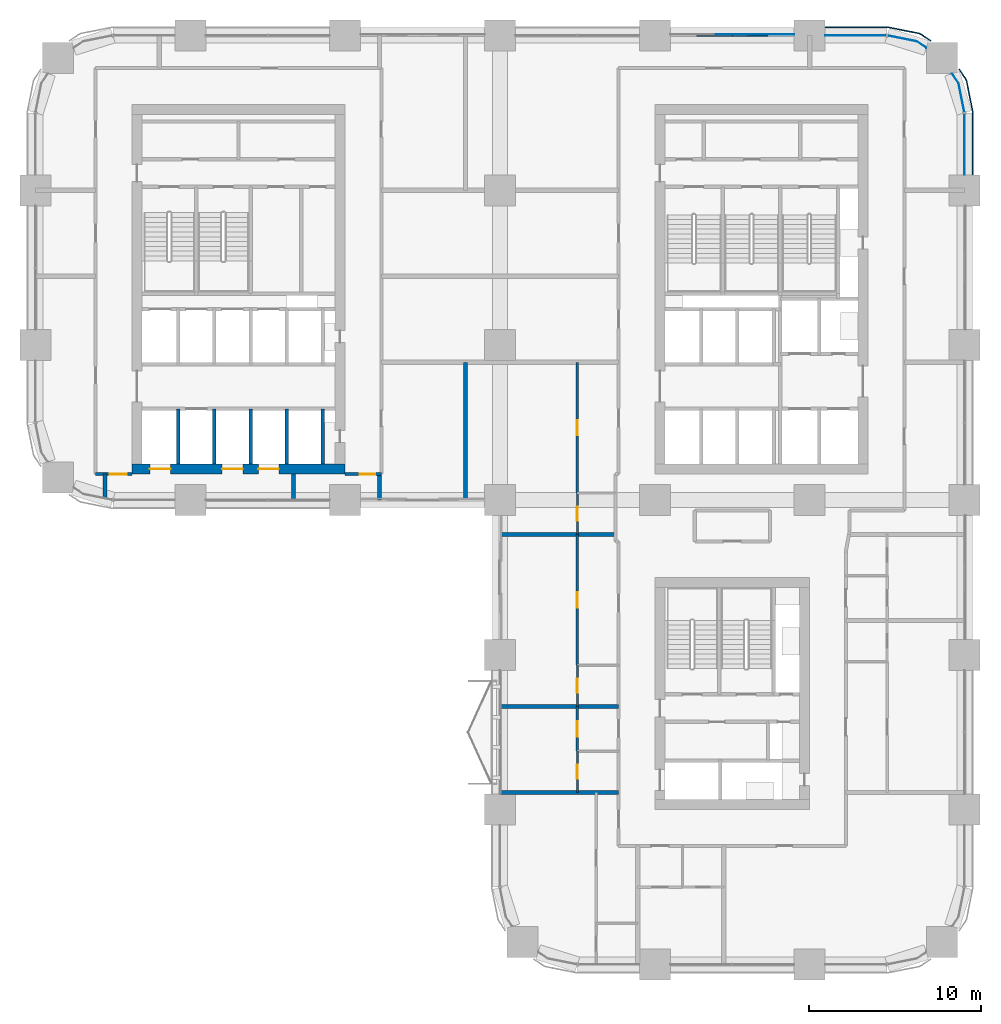
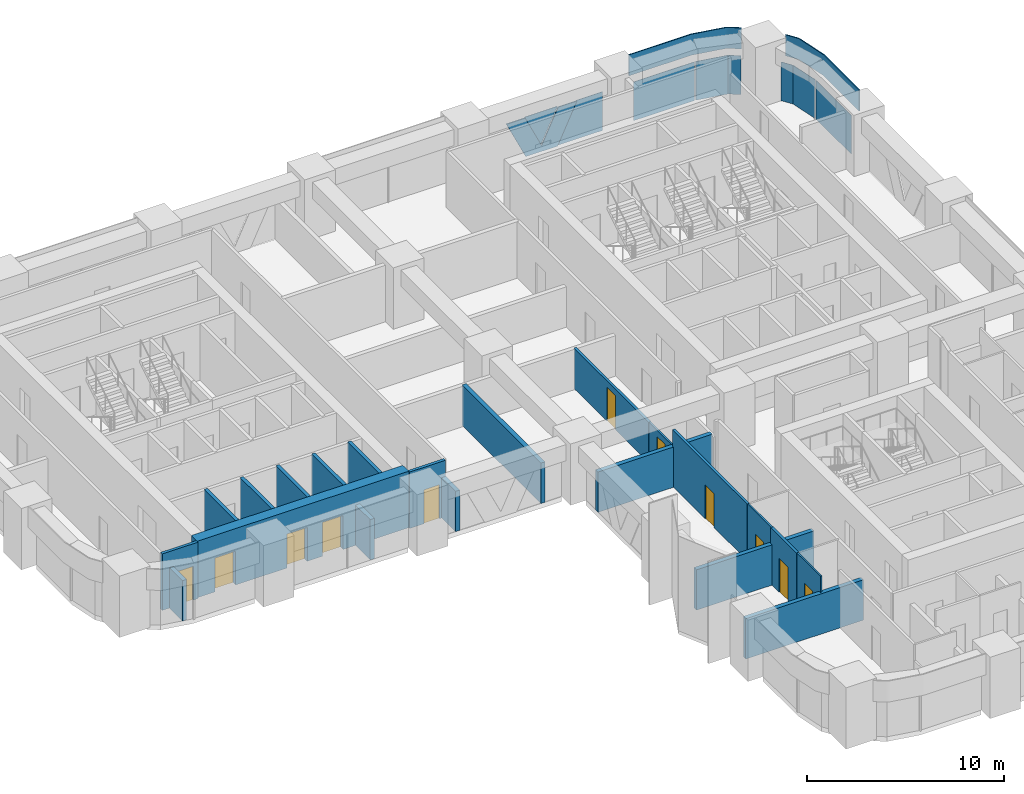
# One storey, part 12 of 19: 21 walls, 11 doors, 9 plates, 11 openings, 3 elements without a shape of their own.
"""IFC4 building model written with IfcOpenShell, lengths in metres."""

from ifc_helpers import new_model, si_unit, direction, frame, frame_2d, origin, origin_2d, place, context, subcontext, project, spatial, polyline, rectangle, outline, extrude, material, layer, layer_set, type_object, element, fill, aggregate, save


model = new_model("IFC4")

# Units and contexts
model_context = context("Model", 3, precision=1e-05, world=origin(), true_north=direction((0.0, 1.0)))
body_context = subcontext(model_context, "Body", "Model", "MODEL_VIEW")
ifc_project = project(units=[si_unit("LENGTHUNIT", "METRE"), si_unit("AREAUNIT", "SQUARE_METRE"), si_unit("VOLUMEUNIT", "CUBIC_METRE"), si_unit("PLANEANGLEUNIT", "RADIAN"), si_unit("MASSUNIT", "GRAM", prefix="KILO")], contexts=[model_context])

# Site, building, storey
site_placement = place(None, origin())
site = spatial("IfcSite", under=ifc_project, at=site_placement, CompositionType="ELEMENT")
building_placement = place(site_placement, origin())
building = spatial("IfcBuilding", under=site, at=building_placement, Name="Tessera Arch", CompositionType="ELEMENT")
storey_placement = place(building_placement, frame((0.0, 0.0, 85.39990234375)))
storey = spatial("IfcBuildingStorey", under=building, at=storey_placement, Name="L19", CompositionType="ELEMENT", Elevation=85.39990234375)

# Curtain wall, plates
ifc_material_1 = material(Name="CW2 curtain wall")
curtain_wall_type_1 = type_object("IfcCurtainWallType", Name="CW2 curtain wall", PredefinedType="NOTDEFINED", material=ifc_material_1)
curtain_wall_1_placement = place(storey_placement, origin())
curtain_wall_1 = element("IfcCurtainWall", 1, at=curtain_wall_1_placement, inside=storey, type_object=curtain_wall_type_1, Name="CW2 curtain wall E54.0/5 L19", PredefinedType="NOTDEFINED")
ifc_material_2 = material(Name="Clear low-e glass", Category="glass")
ifc_material_3 = material(Name="Clear low-e glass", Category="glass")
ifc_layer_1 = layer(ifc_material_3, 0.028076171875)
ifc_layer_set_1 = layer_set([ifc_layer_1], Name="CW2 glass panel")
plate_type_1 = type_object("IfcPlateType", Name="CW2 glass panel", PredefinedType="CURTAIN_PANEL", material=ifc_layer_set_1)
plate_1_placement = place(storey_placement, frame((54.0, 47.679931640625, 0.000244140625), z_axis=(0.0, 0.0, 1.0), x_axis=(0.0, 1.0, 0.0)))
plate_1 = element("IfcPlate", 2, at=plate_1_placement, type_object=plate_type_1, material=ifc_material_2, Name="CW2 glass panel E54.0/5 1.1", PredefinedType="CURTAIN_PANEL", context=body_context, shape_type="SweptSolid", body=[
    extrude(rectangle(XDim=3.56005859375, YDim=0.028076171875, at=origin_2d()), origin(), (0.0, 0.0, 1.0), 2.39990234375),
])
plate_2_placement = place(storey_placement, origin())
plate_2 = element("IfcPlate", 3, at=plate_2_placement, type_object=plate_type_1, material=ifc_material_2, Name="CW2 curved glass panel E54.0/5 2.1", PredefinedType="CURTAIN_PANEL", context=body_context, shape_type="SweptSolid", body=[
    extrude(outline(polyline([(53.644287109375, 51.216552734375), (53.978515625, 49.53662109375), (54.005859375, 49.5419921875), (53.670654296875, 51.2275390625), (53.294921875, 51.789794921875), (53.271728515625, 51.774169921875), (53.644287109375, 51.216552734375)])), origin(), (0.0, 0.0, 1.0), 2.400146484375),
])

curtain_wall_2_placement = place(storey_placement, origin())
curtain_wall_2 = element("IfcCurtainWall", 4, at=curtain_wall_2_placement, inside=storey, type_object=curtain_wall_type_1, Name="CW2 curtain wall N54.0/5 L19", PredefinedType="NOTDEFINED")
plate_3_placement = place(storey_placement, frame((47.679931640625, 54.0, 0.000244140625), z_axis=(0.0, 0.0, 1.0), x_axis=(-1.0, 0.0, 0.0)))
plate_3 = element("IfcPlate", 5, at=plate_3_placement, type_object=plate_type_1, material=ifc_material_2, Name="CW2 glass panel N54.0/5 1.1", PredefinedType="CURTAIN_PANEL", context=body_context, shape_type="SweptSolid", body=[
    extrude(rectangle(XDim=3.56005859375, YDim=0.028076171875, at=origin_2d()), origin(), (0.0, 0.0, 1.0), 2.39990234375),
])
plate_4_placement = place(storey_placement, origin())
plate_4 = element("IfcPlate", 6, at=plate_4_placement, type_object=plate_type_1, material=ifc_material_2, Name="CW2 curved glass panel N54.0/5 2.1", PredefinedType="CURTAIN_PANEL", context=body_context, shape_type="SweptSolid", body=[
    extrude(outline(polyline([(51.216552734375, 53.644287109375), (51.774169921875, 53.271728515625), (51.789794921875, 53.294921875), (51.2275390625, 53.670654296875), (49.5419921875, 54.005859375), (49.53662109375, 53.978515625), (51.216552734375, 53.644287109375)])), origin(), (0.0, 0.0, 1.0), 2.400146484375),
])

# Plate
ifc_material_4 = material(Name="Pale anodised aluminium panel", Category="aluminium")
ifc_layer_2 = layer(ifc_material_4, 0.06005859375)
ifc_layer_set_2 = layer_set([ifc_layer_2], Name="CW2 spandrel panel")
plate_type_2 = type_object("IfcPlateType", Name="CW2 spandrel panel", PredefinedType="CURTAIN_PANEL", material=ifc_layer_set_2)
plate_5_placement = place(storey_placement, frame((0.0, 0.0, 2.5)))
plate_5 = element("IfcPlate", 7, at=plate_5_placement, type_object=plate_type_2, Name="CW2 spandrel panel E54.0/5", PredefinedType="CURTAIN_PANEL", context=body_context, shape_type="SweptSolid", body=[
    extrude(outline(polyline([(54.449951171875, 49.499267578125), (54.449951171875, 45.89990234375), (54.510009765625, 45.89990234375), (54.510009765625, 49.500732421875), (54.507568359375, 49.550048828125), (54.500244140625, 49.598876953125), (54.157470703125, 51.322265625), (54.1455078125, 51.3701171875), (54.128662109375, 51.417236328125), (54.107177734375, 51.462646484375), (54.08203125, 51.5048828125), (53.707275390625, 52.0654296875), (53.657470703125, 52.031982421875), (54.03125, 51.47265625), (54.05419921875, 51.434326171875), (54.0732421875, 51.394287109375), (54.088134765625, 51.352783203125), (54.09912109375, 51.30908203125), (54.441162109375, 49.588623046875), (54.44775390625, 49.544189453125), (54.449951171875, 49.499267578125)])), origin(), (0.0, 0.0, 1.0), 1.300048828125),
])

aggregate(curtain_wall_1, [plate_1, plate_2, plate_5])

plate_6_placement = place(storey_placement, frame((0.0, 0.0, 2.5)))
plate_6 = element("IfcPlate", 8, at=plate_6_placement, type_object=plate_type_2, Name="CW2 spandrel panel N54.0/5", PredefinedType="CURTAIN_PANEL", context=body_context, shape_type="SweptSolid", body=[
    extrude(outline(polyline([(51.47265625, 54.03125), (52.031982421875, 53.657470703125), (52.0654296875, 53.707275390625), (51.5048828125, 54.08203125), (51.462646484375, 54.107177734375), (51.417236328125, 54.128662109375), (51.3701171875, 54.1455078125), (51.322265625, 54.157470703125), (49.598876953125, 54.500244140625), (49.550048828125, 54.507568359375), (49.500732421875, 54.510009765625), (45.89990234375, 54.510009765625), (45.89990234375, 54.449951171875), (49.499267578125, 54.449951171875), (49.544189453125, 54.44775390625), (49.588623046875, 54.441162109375), (51.30908203125, 54.09912109375), (51.352783203125, 54.088134765625), (51.394287109375, 54.0732421875), (51.434326171875, 54.05419921875), (51.47265625, 54.03125)])), origin(), (0.0, 0.0, 1.0), 1.300048828125),
])

aggregate(curtain_wall_2, [plate_3, plate_4, plate_6])

# Curtain wall, plates
ifc_material_5 = material(Name="CW3 curtain wall")
curtain_wall_type_2 = type_object("IfcCurtainWallType", Name="CW3 curtain wall", PredefinedType="NOTDEFINED", material=ifc_material_5)
curtain_wall_3_placement = place(storey_placement, origin())
curtain_wall_3 = element("IfcCurtainWall", 9, at=curtain_wall_3_placement, inside=storey, type_object=curtain_wall_type_2, Name="CW3 curtain wall N54.0/0 L19", PredefinedType="NOTDEFINED")
ifc_material_6 = material(Name="Pale anodised aluminium panel", Category="aluminium")
ifc_layer_3 = layer(ifc_material_6, 0.06005859375)
ifc_layer_set_3 = layer_set([ifc_layer_3], Name="CW3 diagonal panel")
plate_type_3 = type_object("IfcPlateType", Name="CW3 diagonal panel", PredefinedType="CURTAIN_PANEL", material=ifc_layer_set_3)
plate_7_placement = place(storey_placement, frame((38.434326171875, 54.030029296875, 2.400146484375), z_axis=(0.0, 1.0, 0.0), x_axis=(1.0, 0.0, 0.0)))
plate_7 = element("IfcPlate", 10, at=plate_7_placement, type_object=plate_type_3, Name="CW3 diagonal panel N54.0/0 1", PredefinedType="CURTAIN_PANEL", context=body_context, shape_type="SweptSolid", body=[
    extrude(outline(polyline([(0.0, 0.0), (1.099853515625, 0.0), (2.065673828125, 2.0390625), (3.031494140625, 0.0), (4.13134765625, 0.0), (2.99462890625, 2.400146484375), (1.13671875, 2.400146484375), (0.0, 0.0)])), origin(), (0.0, 0.0, -1.0), 0.06005859375),
])
ifc_material_7 = material(Name="Clear low-e glass", Category="glass")
ifc_layer_4 = layer(ifc_material_7, 0.028076171875)
ifc_layer_set_4 = layer_set([ifc_layer_4], Name="CW3 glass panel")
plate_type_4 = type_object("IfcPlateType", Name="CW3 glass panel", PredefinedType="CURTAIN_PANEL", material=ifc_layer_set_4)
plate_8_placement = place(storey_placement, frame((44.10009765625, 54.05810546875, 0.0), z_axis=(0.0, 1.0, 0.0), x_axis=(-1.0, 0.0, 0.0)))
plate_8 = element("IfcPlate", 11, at=plate_8_placement, type_object=plate_type_4, material=ifc_material_2, Name="CW3 triangulated glass panel N54.0/0 1", PredefinedType="CURTAIN_PANEL", context=body_context, shape_type="SweptSolid", body=[
    extrude(outline(polyline([(0.0, 0.0), (2.671142578125, 0.0), (1.534423828125, 2.400146484375), (0.0, 2.400146484375), (0.0, 0.0)])), origin(), (0.0, 0.0, -1.0), 0.028076171875),
])
plate_9_placement = place(storey_placement, frame((39.5341796875, 54.0859375, 2.400146484375), z_axis=(0.0, 1.0, 0.0), x_axis=(1.0, 0.0, 0.0)))
plate_9 = element("IfcPlate", 12, at=plate_9_placement, type_object=plate_type_4, material=ifc_material_2, Name="CW3 triangulated glass panel N54.0/0 2", PredefinedType="CURTAIN_PANEL", context=body_context, shape_type="SweptSolid", body=[
    extrude(outline(polyline([(0.0, 0.0), (1.931640625, 0.0), (0.9658203125, 2.0390625), (0.0, 0.0)])), origin(), (0.0, 0.0, -1.0), 0.028076171875),
])
aggregate(curtain_wall_3, [plate_8, plate_9, plate_7])

# Wall, openings, doors
ifc_material_8 = material(Name="Concrete C70/85", Category="concrete")
ifc_layer_5 = layer(ifc_material_8, 0.60009765625)
ifc_layer_set_5 = layer_set([ifc_layer_5], Name="Core shell wall 600 C70-85")
wall_type_1 = type_object("IfcWallType", Name="Core shell wall 600 C70-85", PredefinedType="SHEAR", material=ifc_layer_set_5)
wall_1_placement = place(storey_placement, frame((5.60009765625, 28.800048828125, 0.0), z_axis=(0.0, 0.0, 1.0), x_axis=(1.0, 0.0, 0.0)))
wall_1 = element("IfcWall", 13, at=wall_1_placement, inside=storey, type_object=wall_type_1, Name="L19 C2 core wall S", PredefinedType="SHEAR", context=body_context, shape_type="SweptSolid", body=[
    extrude(rectangle(XDim=12.39990234375, YDim=0.60009765625, at=frame_2d((6.199951171875, 0.0))), origin(), (0.0, 0.0, 1.0), 3.5),
])
opening_1_placement = place(wall_1_placement, frame((1.050048828125, 0.0, 0.0)))
opening_1 = element("IfcOpeningElement", 14, at=opening_1_placement, cuts=wall_1, Name="Opening L19-C15", PredefinedType="OPENING", context=body_context, shape_type="SweptSolid", body=[
    extrude(rectangle(XDim=1.199951171875, YDim=2.10009765625, at=frame_2d((0.60009765625, 1.050048828125))), frame((0.0, 0.31005859375, 0.0), z_axis=(0.0, -1.0, 0.0), x_axis=(1.0, 0.0, 0.0)), (0.0, 0.0, 1.0), 0.6201171875),
])
opening_2_placement = place(wall_1_placement, frame((5.25, 0.0, 0.0)))
opening_2 = element("IfcOpeningElement", 15, at=opening_2_placement, cuts=wall_1, Name="Opening L19-C17", PredefinedType="OPENING", context=body_context, shape_type="SweptSolid", body=[
    extrude(rectangle(XDim=1.199951171875, YDim=2.10009765625, at=frame_2d((0.60009765625, 1.050048828125))), frame((0.0, 0.31005859375, 0.0), z_axis=(0.0, -1.0, 0.0), x_axis=(1.0, 0.0, 0.0)), (0.0, 0.0, 1.0), 0.6201171875),
])
opening_3_placement = place(wall_1_placement, frame((7.35009765625, 0.0, 0.0)))
opening_3 = element("IfcOpeningElement", 16, at=opening_3_placement, cuts=wall_1, Name="Opening L19-C18", PredefinedType="OPENING", context=body_context, shape_type="SweptSolid", body=[
    extrude(rectangle(XDim=1.199951171875, YDim=2.10009765625, at=frame_2d((0.60009765625, 1.050048828125))), frame((0.0, 0.31005859375, 0.0), z_axis=(0.0, -1.0, 0.0), x_axis=(1.0, 0.0, 0.0)), (0.0, 0.0, 1.0), 0.6201171875),
])
ifc_material_9 = material(Name="Stainless steel AISI 304", Category="steel")
door_type_1 = type_object("IfcDoorType", Name="Sliding landing door 1200 x 2100", OperationType="SLIDING_TO_LEFT", PredefinedType="DOOR", material=ifc_material_9)
door_1_placement = place(opening_1_placement, origin())
door_1 = element("IfcDoor", 17, at=door_1_placement, inside=storey, type_object=door_type_1, Name="L19 LR1 lift landing door C15 type LD", OperationType="SLIDING_TO_LEFT", OverallHeight=2.10009765625, OverallWidth=1.199951171875, PredefinedType="DOOR", context=body_context, shape_type="SweptSolid", body=[
    extrude(rectangle(XDim=1.199951171875, YDim=2.10009765625, at=frame_2d((0.60009765625, 1.050048828125))), frame((0.0, 0.02490234375, 0.0), z_axis=(0.0, -1.0, 0.0), x_axis=(1.0, 0.0, 0.0)), (0.0, 0.0, 1.0), 0.050048828125),
])
fill(opening_1, door_1)
door_2_placement = place(opening_2_placement, origin())
door_2 = element("IfcDoor", 18, at=door_2_placement, inside=storey, type_object=door_type_1, Name="L19 LR3 lift landing door C17 type LD", OperationType="SLIDING_TO_LEFT", OverallHeight=2.10009765625, OverallWidth=1.199951171875, PredefinedType="DOOR", context=body_context, shape_type="SweptSolid", body=[
    extrude(rectangle(XDim=1.199951171875, YDim=2.10009765625, at=frame_2d((0.60009765625, 1.050048828125))), frame((0.0, 0.02490234375, 0.0), z_axis=(0.0, -1.0, 0.0), x_axis=(1.0, 0.0, 0.0)), (0.0, 0.0, 1.0), 0.050048828125),
])
fill(opening_2, door_2)
door_3_placement = place(opening_3_placement, origin())
door_3 = element("IfcDoor", 19, at=door_3_placement, inside=storey, type_object=door_type_1, Name="L19 LR4 lift landing door C18 type LD", OperationType="SLIDING_TO_LEFT", OverallHeight=2.10009765625, OverallWidth=1.199951171875, PredefinedType="DOOR", context=body_context, shape_type="SweptSolid", body=[
    extrude(rectangle(XDim=1.199951171875, YDim=2.10009765625, at=frame_2d((0.60009765625, 1.050048828125))), frame((0.0, 0.02490234375, 0.0), z_axis=(0.0, -1.0, 0.0), x_axis=(1.0, 0.0, 0.0)), (0.0, 0.0, 1.0), 0.050048828125),
])
fill(opening_3, door_3)

# Wall, opening, door
ifc_material_10 = material(Name="Gypsum board on deep steel stud with mineral wool", Category="steel")
ifc_layer_6 = layer(ifc_material_10, 0.175048828125)
ifc_layer_set_6 = layer_set([ifc_layer_6], Name="Corridor wall 175 EI 60")
wall_type_2 = type_object("IfcWallType", Name="Corridor wall 175 EI 60", PredefinedType="PARTITIONING", material=ifc_layer_set_6)
wall_2_placement = place(storey_placement, frame((3.5, 28.5, 0.0), z_axis=(0.0, 0.0, 1.0), x_axis=(1.0, 0.0, 0.0)))
wall_2 = element("IfcWall", 20, at=wall_2_placement, inside=storey, type_object=wall_type_2, Name="L19 partition 6", PredefinedType="PARTITIONING", context=body_context, shape_type="SweptSolid", body=[
    extrude(rectangle(XDim=2.10009765625, YDim=0.175048828125, at=frame_2d((1.050048828125, 0.0))), origin(), (0.0, 0.0, 1.0), 3.5),
])
opening_4_placement = place(wall_2_placement, frame((0.818603515625, 0.0, 0.0)))
opening_4 = element("IfcOpeningElement", 21, at=opening_4_placement, cuts=wall_2, Name="Opening L19-D021", PredefinedType="OPENING", context=body_context, shape_type="SweptSolid", body=[
    extrude(rectangle(XDim=1.0, YDim=2.10009765625, at=frame_2d((0.5, 1.050048828125))), frame((0.0, 0.097412109375, 0.0), z_axis=(0.0, -1.0, 0.0), x_axis=(1.0, 0.0, 0.0)), (0.0, 0.0, 1.0), 0.195068359375),
])
ifc_material_11 = material(Name="Fire-rated door leaf")
door_type_2 = type_object("IfcDoorType", Name="Entrance door FD30S 1000 x 2100", OperationType="SINGLE_SWING_LEFT", PredefinedType="DOOR", material=ifc_material_11)
door_4_placement = place(opening_4_placement, origin())
door_4 = element("IfcDoor", 22, at=door_4_placement, inside=storey, type_object=door_type_2, Name="L19 door D021 type D03", OperationType="SINGLE_SWING_RIGHT", OverallHeight=2.10009765625, OverallWidth=1.0, PredefinedType="DOOR", context=body_context, shape_type="SweptSolid", body=[
    extrude(rectangle(XDim=1.0, YDim=2.10009765625, at=frame_2d((0.5, 1.050048828125))), frame((0.0, 0.02490234375, 0.0), z_axis=(0.0, -1.0, 0.0), x_axis=(1.0, 0.0, 0.0)), (0.0, 0.0, 1.0), 0.050048828125),
])
fill(opening_4, door_4)

wall_3_placement = place(storey_placement, frame((18.0, 28.5, 0.0), z_axis=(0.0, 0.0, 1.0), x_axis=(1.0, 0.0, 0.0)))
wall_3 = element("IfcWall", 23, at=wall_3_placement, inside=storey, type_object=wall_type_2, Name="L19 partition 7", PredefinedType="PARTITIONING", context=body_context, shape_type="SweptSolid", body=[
    extrude(rectangle(XDim=2.10009765625, YDim=0.175048828125, at=frame_2d((1.050048828125, 0.0))), origin(), (0.0, 0.0, 1.0), 3.5),
])
opening_5_placement = place(wall_3_placement, frame((0.85009765625, 0.0, 0.0)))
opening_5 = element("IfcOpeningElement", 24, at=opening_5_placement, cuts=wall_3, Name="Opening L19-D022", PredefinedType="OPENING", context=body_context, shape_type="SweptSolid", body=[
    extrude(rectangle(XDim=0.89990234375, YDim=2.10009765625, at=frame_2d((0.449951171875, 1.050048828125))), frame((0.0, 0.097412109375, 0.0), z_axis=(0.0, -1.0, 0.0), x_axis=(1.0, 0.0, 0.0)), (0.0, 0.0, 1.0), 0.195068359375),
])
ifc_material_12 = material(Name="Timber door leaf", Category="wood")
door_type_3 = type_object("IfcDoorType", Name="Room door 900 x 2100", OperationType="SINGLE_SWING_LEFT", PredefinedType="DOOR", material=ifc_material_12)
door_5_placement = place(opening_5_placement, origin())
door_5 = element("IfcDoor", 25, at=door_5_placement, inside=storey, type_object=door_type_3, Name="L19 door D022 type D01", OperationType="SINGLE_SWING_RIGHT", OverallHeight=2.10009765625, OverallWidth=0.89990234375, PredefinedType="DOOR", context=body_context, shape_type="SweptSolid", body=[
    extrude(rectangle(XDim=0.89990234375, YDim=2.10009765625, at=frame_2d((0.449951171875, 1.050048828125))), frame((0.0, 0.02490234375, 0.0), z_axis=(0.0, -1.0, 0.0), x_axis=(1.0, 0.0, 0.0)), (0.0, 0.0, 1.0), 0.050048828125),
])
fill(opening_5, door_5)

ifc_material_13 = material(Name="Gypsum board on steel stud", Category="steel")
ifc_layer_7 = layer(ifc_material_13, 0.14990234375)
ifc_layer_set_7 = layer_set([ifc_layer_7], Name="Partition 150")
wall_type_3 = type_object("IfcWallType", Name="Partition 150", PredefinedType="PARTITIONING", material=ifc_layer_set_7)
wall_4_placement = place(storey_placement, frame((31.5, 12.39990234375, 0.0), z_axis=(0.0, 0.0, 1.0), x_axis=(0.0, 1.0, 0.0)))
wall_4 = element("IfcWall", 26, at=wall_4_placement, inside=storey, type_object=wall_type_3, Name="L19 partition 22", PredefinedType="PARTITIONING", context=body_context, shape_type="SweptSolid", body=[
    extrude(rectangle(XDim=2.60009765625, YDim=0.14990234375, at=frame_2d((1.300048828125, 0.0))), origin(), (0.0, 0.0, 1.0), 3.5),
])
opening_6_placement = place(wall_4_placement, frame((0.85009765625, 0.0, 0.0)))
opening_6 = element("IfcOpeningElement", 27, at=opening_6_placement, cuts=wall_4, Name="Opening L19-D009", PredefinedType="OPENING", context=body_context, shape_type="SweptSolid", body=[
    extrude(rectangle(XDim=0.89990234375, YDim=2.10009765625, at=frame_2d((0.449951171875, 1.050048828125))), frame((0.0, 0.0849609375, 0.0), z_axis=(0.0, -1.0, 0.0), x_axis=(1.0, 0.0, 0.0)), (0.0, 0.0, 1.0), 0.169921875),
])
door_6_placement = place(opening_6_placement, origin())
door_6 = element("IfcDoor", 28, at=door_6_placement, inside=storey, type_object=door_type_3, Name="L19 door D009 type D01", OperationType="SINGLE_SWING_LEFT", OverallHeight=2.10009765625, OverallWidth=0.89990234375, PredefinedType="DOOR", context=body_context, shape_type="SweptSolid", body=[
    extrude(rectangle(XDim=0.89990234375, YDim=2.10009765625, at=frame_2d((0.449951171875, 1.050048828125))), frame((0.0, 0.02490234375, 0.0), z_axis=(0.0, -1.0, 0.0), x_axis=(1.0, 0.0, 0.0)), (0.0, 0.0, 1.0), 0.050048828125),
])
fill(opening_6, door_6)

wall_5_placement = place(storey_placement, frame((31.5, 17.39990234375, 0.0), z_axis=(0.0, 0.0, 1.0), x_axis=(0.0, 1.0, 0.0)))
wall_5 = element("IfcWall", 29, at=wall_5_placement, inside=storey, type_object=wall_type_3, Name="L19 partition 23", PredefinedType="PARTITIONING", context=body_context, shape_type="SweptSolid", body=[
    extrude(rectangle(XDim=7.60009765625, YDim=0.14990234375, at=frame_2d((3.800048828125, 0.0))), origin(), (0.0, 0.0, 1.0), 3.5),
])
opening_7_placement = place(wall_5_placement, frame((3.35009765625, 0.0, 0.0)))
opening_7 = element("IfcOpeningElement", 30, at=opening_7_placement, cuts=wall_5, Name="Opening L19-D015", PredefinedType="OPENING", context=body_context, shape_type="SweptSolid", body=[
    extrude(rectangle(XDim=0.89990234375, YDim=2.10009765625, at=frame_2d((0.449951171875, 1.050048828125))), frame((0.0, 0.0849609375, 0.0), z_axis=(0.0, -1.0, 0.0), x_axis=(1.0, 0.0, 0.0)), (0.0, 0.0, 1.0), 0.169921875),
])
door_7_placement = place(opening_7_placement, origin())
door_7 = element("IfcDoor", 31, at=door_7_placement, inside=storey, type_object=door_type_3, Name="L19 door D015 type D01", OperationType="SINGLE_SWING_LEFT", OverallHeight=2.10009765625, OverallWidth=0.89990234375, PredefinedType="DOOR", context=body_context, shape_type="SweptSolid", body=[
    extrude(rectangle(XDim=0.89990234375, YDim=2.10009765625, at=frame_2d((0.449951171875, 1.050048828125))), frame((0.0, 0.02490234375, 0.0), z_axis=(0.0, -1.0, 0.0), x_axis=(1.0, 0.0, 0.0)), (0.0, 0.0, 1.0), 0.050048828125),
])
fill(opening_7, door_7)

wall_6_placement = place(storey_placement, frame((31.5, 27.39990234375, 0.0), z_axis=(0.0, 0.0, 1.0), x_axis=(0.0, 1.0, 0.0)))
wall_6 = element("IfcWall", 32, at=wall_6_placement, inside=storey, type_object=wall_type_3, Name="L19 partition 24", PredefinedType="PARTITIONING", context=body_context, shape_type="SweptSolid", body=[
    extrude(rectangle(XDim=7.60009765625, YDim=0.14990234375, at=frame_2d((3.800048828125, 0.0))), origin(), (0.0, 0.0, 1.0), 2.5),
])
opening_8_placement = place(wall_6_placement, frame((3.35009765625, 0.0, 0.0)))
opening_8 = element("IfcOpeningElement", 33, at=opening_8_placement, cuts=wall_6, Name="Opening L19-D025", PredefinedType="OPENING", context=body_context, shape_type="SweptSolid", body=[
    extrude(rectangle(XDim=0.89990234375, YDim=2.10009765625, at=frame_2d((0.449951171875, 1.050048828125))), frame((0.0, 0.0849609375, 0.0), z_axis=(0.0, -1.0, 0.0), x_axis=(1.0, 0.0, 0.0)), (0.0, 0.0, 1.0), 0.169921875),
])
door_8_placement = place(opening_8_placement, origin())
door_8 = element("IfcDoor", 34, at=door_8_placement, inside=storey, type_object=door_type_3, Name="L19 door D025 type D01", OperationType="SINGLE_SWING_LEFT", OverallHeight=2.10009765625, OverallWidth=0.89990234375, PredefinedType="DOOR", context=body_context, shape_type="SweptSolid", body=[
    extrude(rectangle(XDim=0.89990234375, YDim=2.10009765625, at=frame_2d((0.449951171875, 1.050048828125))), frame((0.0, 0.02490234375, 0.0), z_axis=(0.0, -1.0, 0.0), x_axis=(1.0, 0.0, 0.0)), (0.0, 0.0, 1.0), 0.050048828125),
])
fill(opening_8, door_8)

# Walls
ifc_material_14 = material(Name="Double gypsum board on twin steel stud with acoustic mineral wool", Category="steel")
ifc_layer_8 = layer(ifc_material_14, 0.25)
ifc_layer_set_8 = layer_set([ifc_layer_8], Name="Party wall 250 EI 60")
wall_type_4 = type_object("IfcWallType", Name="Party wall 250 EI 60", PredefinedType="PARTITIONING", material=ifc_layer_set_8)
for number, where, z_axis, x_axis, name in (
    (35, (27.0, 10.0, 0.0), (0.0, 0.0, 1.0), (1.0, 0.0, 0.0), "L19 partition 28"),
    (36, (27.0, 15.0, 0.0), (0.0, 0.0, 1.0), (1.0, 0.0, 0.0), "L19 partition 30"),
):
    element("IfcWall", number, at=place(storey_placement, frame(where, z_axis=z_axis, x_axis=x_axis)), inside=storey, type_object=wall_type_4, Name=name, PredefinedType="PARTITIONING", context=body_context, shape_type="SweptSolid", body=[
        extrude(rectangle(XDim=6.89990234375, YDim=0.25, at=frame_2d((3.449951171875, 0.0))), origin(), (0.0, 0.0, 1.0), 2.5),
    ])
wall_7_placement = place(storey_placement, frame((27.0, 25.0, 0.0), z_axis=(0.0, 0.0, 1.0), x_axis=(1.0, 0.0, 0.0)))
element("IfcWall", 37, at=wall_7_placement, inside=storey, type_object=wall_type_4, Name="L19 partition 32", PredefinedType="PARTITIONING", context=body_context, shape_type="SweptSolid", body=[
    extrude(rectangle(XDim=6.699951171875, YDim=0.25, at=frame_2d((3.35009765625, 0.0))), origin(), (0.0, 0.0, 1.0), 2.5),
])
wall_8_placement = place(storey_placement, frame((4.037109375, 27.092041015625, 0.0), z_axis=(0.0, 0.0, 1.0), x_axis=(0.0, 1.0, 0.0)))
element("IfcWall", 38, at=wall_8_placement, inside=storey, type_object=wall_type_4, Name="L19 partition 41", PredefinedType="PARTITIONING", context=body_context, shape_type="SweptSolid", body=[
    extrude(rectangle(XDim=1.407958984375, YDim=0.25, at=frame_2d((0.7041015625, 0.0))), origin(), (0.0, 0.0, 1.0), 2.5),
])
for number, where, z_axis, x_axis, name in (
    (39, (15.0, 27.0, 0.0), (0.0, 0.0, 1.0), (0.0, 1.0, 0.0), "L19 partition 43"),
    (40, (20.0, 27.0, 0.0), (0.0, 0.0, 1.0), (0.0, 1.0, 0.0), "L19 partition 44"),
):
    element("IfcWall", number, at=place(storey_placement, frame(where, z_axis=z_axis, x_axis=x_axis)), inside=storey, type_object=wall_type_4, Name=name, PredefinedType="PARTITIONING", context=body_context, shape_type="SweptSolid", body=[
        extrude(rectangle(XDim=1.5, YDim=0.25, at=frame_2d((0.75, 0.0))), origin(), (0.0, 0.0, 1.0), 2.5),
    ])
wall_9_placement = place(storey_placement, frame((25.0, 27.0, 0.0), z_axis=(0.0, 0.0, 1.0), x_axis=(0.0, 1.0, 0.0)))
element("IfcWall", 41, at=wall_9_placement, inside=storey, type_object=wall_type_4, Name="L19 partition 46", PredefinedType="PARTITIONING", context=body_context, shape_type="SweptSolid", body=[
    extrude(rectangle(XDim=8.0, YDim=0.25, at=frame_2d((4.0, 0.0))), origin(), (0.0, 0.0, 1.0), 2.5),
])
ifc_material_15 = material(Name="Concrete C40/50", Category="concrete")
ifc_layer_9 = layer(ifc_material_15, 0.199951171875)
ifc_layer_set_9 = layer_set([ifc_layer_9], Name="Shaft wall 200 EI 120")
wall_type_5 = type_object("IfcWallType", Name="Shaft wall 200 EI 120", PredefinedType="SOLIDWALL", material=ifc_layer_set_9)
for number, where, z_axis, x_axis, name in (
    (42, (8.300048828125, 29.10009765625, 0.0), (0.0, 0.0, 1.0), (0.0, 1.0, 0.0), "L19 C2 shaft wall 1"),
    (43, (10.39990234375, 29.10009765625, 0.0), (0.0, 0.0, 1.0), (0.0, 1.0, 0.0), "L19 C2 shaft wall 5"),
    (44, (12.5, 29.10009765625, 0.0), (0.0, 0.0, 1.0), (0.0, 1.0, 0.0), "L19 C2 shaft wall 8"),
    (45, (14.60009765625, 29.10009765625, 0.0), (0.0, 0.0, 1.0), (0.0, 1.0, 0.0), "L19 C2 shaft wall 12"),
    (46, (16.699951171875, 29.10009765625, 0.0), (0.0, 0.0, 1.0), (0.0, 1.0, 0.0), "L19 C2 shaft wall 15"),
):
    element("IfcWall", number, at=place(storey_placement, frame(where, z_axis=z_axis, x_axis=x_axis)), inside=storey, type_object=wall_type_5, Name=name, PredefinedType="SOLIDWALL", context=body_context, shape_type="SweptSolid", body=[
        extrude(rectangle(XDim=3.199951171875, YDim=0.199951171875, at=frame_2d((1.60009765625, 0.0))), origin(), (0.0, 0.0, 1.0), 3.5),
    ])

# Wall, opening, door
ifc_material_16 = material(Name="Moisture-resistant board on pre-plumbed steel stud", Category="steel")
ifc_layer_10 = layer(ifc_material_16, 0.10009765625)
ifc_layer_set_10 = layer_set([ifc_layer_10], Name="Wet wall 100")
wall_type_6 = type_object("IfcWallType", Name="Wet wall 100", PredefinedType="PARTITIONING", material=ifc_layer_set_10)
wall_10_placement = place(storey_placement, frame((31.5, 10.0, 0.0), z_axis=(0.0, 0.0, 1.0), x_axis=(0.0, 1.0, 0.0)))
wall_10 = element("IfcWall", 47, at=wall_10_placement, inside=storey, type_object=wall_type_6, Name="L19 partition 58", PredefinedType="PARTITIONING", context=body_context, shape_type="SweptSolid", body=[
    extrude(rectangle(XDim=2.39990234375, YDim=0.10009765625, at=frame_2d((1.199951171875, 0.0))), origin(), (0.0, 0.0, 1.0), 3.5),
])
opening_9_placement = place(wall_10_placement, frame((0.800048828125, 0.0, 0.0)))
opening_9 = element("IfcOpeningElement", 48, at=opening_9_placement, cuts=wall_10, Name="Opening L19-D010", PredefinedType="OPENING", context=body_context, shape_type="SweptSolid", body=[
    extrude(rectangle(XDim=0.800048828125, YDim=2.10009765625, at=frame_2d((0.39990234375, 1.050048828125))), frame((0.0, 0.06005859375, 0.0), z_axis=(0.0, -1.0, 0.0), x_axis=(1.0, 0.0, 0.0)), (0.0, 0.0, 1.0), 0.1201171875),
])
ifc_material_17 = material(Name="Timber door leaf", Category="wood")
door_type_4 = type_object("IfcDoorType", Name="En-suite door 800 x 2100", OperationType="SINGLE_SWING_LEFT", PredefinedType="DOOR", material=ifc_material_17)
door_9_placement = place(opening_9_placement, origin())
door_9 = element("IfcDoor", 49, at=door_9_placement, inside=storey, type_object=door_type_4, Name="L19 door D010 type D02", OperationType="SINGLE_SWING_RIGHT", OverallHeight=2.10009765625, OverallWidth=0.800048828125, PredefinedType="DOOR", context=body_context, shape_type="SweptSolid", body=[
    extrude(rectangle(XDim=0.800048828125, YDim=2.10009765625, at=frame_2d((0.39990234375, 1.050048828125))), frame((0.0, 0.02490234375, 0.0), z_axis=(0.0, -1.0, 0.0), x_axis=(1.0, 0.0, 0.0)), (0.0, 0.0, 1.0), 0.050048828125),
])
fill(opening_9, door_9)

wall_11_placement = place(storey_placement, frame((31.5, 15.0, 0.0), z_axis=(0.0, 0.0, 1.0), x_axis=(0.0, 1.0, 0.0)))
wall_11 = element("IfcWall", 50, at=wall_11_placement, inside=storey, type_object=wall_type_6, Name="L19 partition 59", PredefinedType="PARTITIONING", context=body_context, shape_type="SweptSolid", body=[
    extrude(rectangle(XDim=2.39990234375, YDim=0.10009765625, at=frame_2d((1.199951171875, 0.0))), origin(), (0.0, 0.0, 1.0), 3.5),
])
opening_10_placement = place(wall_11_placement, frame((0.800048828125, 0.0, 0.0)))
opening_10 = element("IfcOpeningElement", 51, at=opening_10_placement, cuts=wall_11, Name="Opening L19-D016", PredefinedType="OPENING", context=body_context, shape_type="SweptSolid", body=[
    extrude(rectangle(XDim=0.800048828125, YDim=2.10009765625, at=frame_2d((0.39990234375, 1.050048828125))), frame((0.0, 0.06005859375, 0.0), z_axis=(0.0, -1.0, 0.0), x_axis=(1.0, 0.0, 0.0)), (0.0, 0.0, 1.0), 0.1201171875),
])
door_10_placement = place(opening_10_placement, origin())
door_10 = element("IfcDoor", 52, at=door_10_placement, inside=storey, type_object=door_type_4, Name="L19 door D016 type D02", OperationType="SINGLE_SWING_RIGHT", OverallHeight=2.10009765625, OverallWidth=0.800048828125, PredefinedType="DOOR", context=body_context, shape_type="SweptSolid", body=[
    extrude(rectangle(XDim=0.800048828125, YDim=2.10009765625, at=frame_2d((0.39990234375, 1.050048828125))), frame((0.0, 0.02490234375, 0.0), z_axis=(0.0, -1.0, 0.0), x_axis=(1.0, 0.0, 0.0)), (0.0, 0.0, 1.0), 0.050048828125),
])
fill(opening_10, door_10)

wall_12_placement = place(storey_placement, frame((31.5, 25.0, 0.0), z_axis=(0.0, 0.0, 1.0), x_axis=(0.0, 1.0, 0.0)))
wall_12 = element("IfcWall", 53, at=wall_12_placement, inside=storey, type_object=wall_type_6, Name="L19 partition 60", PredefinedType="PARTITIONING", context=body_context, shape_type="SweptSolid", body=[
    extrude(rectangle(XDim=2.39990234375, YDim=0.10009765625, at=frame_2d((1.199951171875, 0.0))), origin(), (0.0, 0.0, 1.0), 2.5),
])
opening_11_placement = place(wall_12_placement, frame((0.800048828125, 0.0, 0.0)))
opening_11 = element("IfcOpeningElement", 54, at=opening_11_placement, cuts=wall_12, Name="Opening L19-D026", PredefinedType="OPENING", context=body_context, shape_type="SweptSolid", body=[
    extrude(rectangle(XDim=0.800048828125, YDim=2.10009765625, at=frame_2d((0.39990234375, 1.050048828125))), frame((0.0, 0.06005859375, 0.0), z_axis=(0.0, -1.0, 0.0), x_axis=(1.0, 0.0, 0.0)), (0.0, 0.0, 1.0), 0.1201171875),
])
door_11_placement = place(opening_11_placement, origin())
door_11 = element("IfcDoor", 55, at=door_11_placement, inside=storey, type_object=door_type_4, Name="L19 door D026 type D02", OperationType="SINGLE_SWING_RIGHT", OverallHeight=2.10009765625, OverallWidth=0.800048828125, PredefinedType="DOOR", context=body_context, shape_type="SweptSolid", body=[
    extrude(rectangle(XDim=0.800048828125, YDim=2.10009765625, at=frame_2d((0.39990234375, 1.050048828125))), frame((0.0, 0.02490234375, 0.0), z_axis=(0.0, -1.0, 0.0), x_axis=(1.0, 0.0, 0.0)), (0.0, 0.0, 1.0), 0.050048828125),
])
fill(opening_11, door_11)

save(model, "model.ifc")
